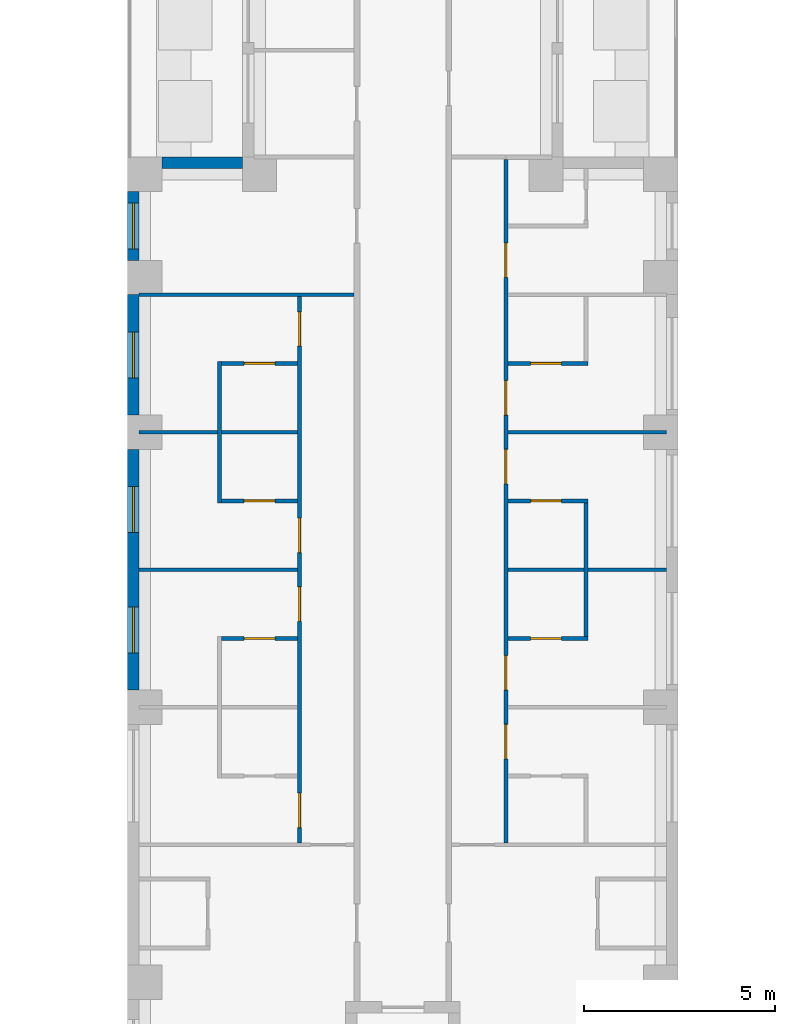
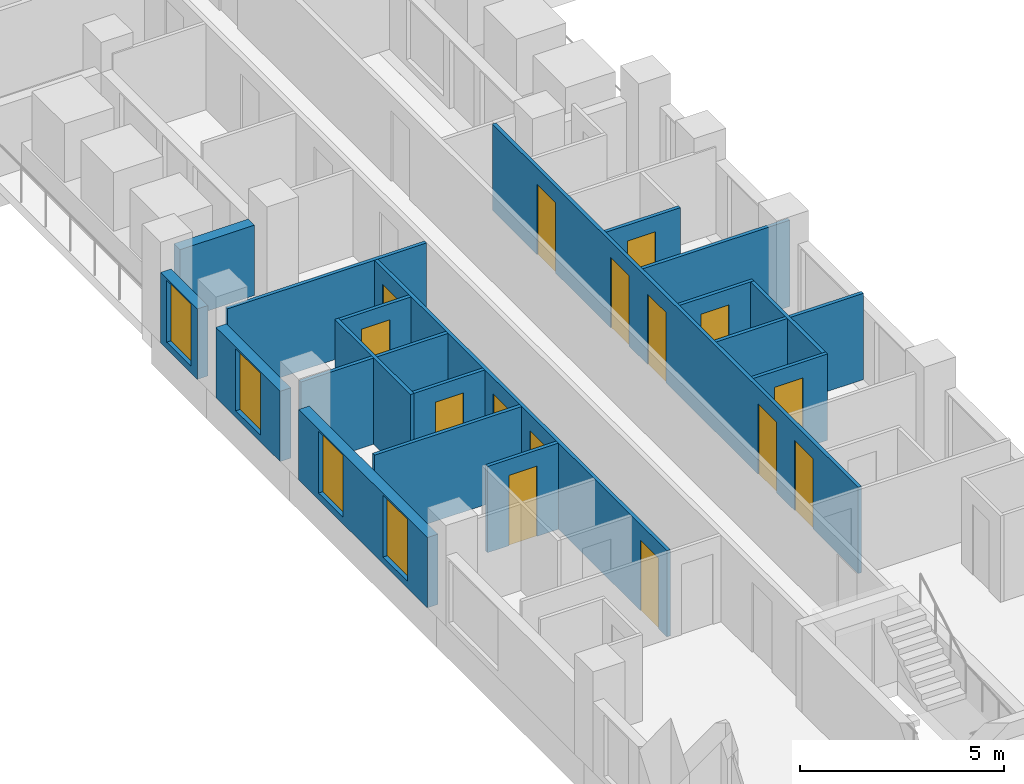
# One storey, part 4 of 16: 19 walls, 15 doors, 4 windows, 19 openings.
"""IFC4 building model written with IfcOpenShell, lengths in metres."""

from ifc_helpers import new_model, si_unit, direction, frame, frame_2d, origin, place, context, subcontext, project, spatial, rectangle, extrude, material, layer, layer_set, type_object, element, fill, save


model = new_model("IFC4")

# Units and contexts
model_context = context("Model", 3, precision=1e-05, world=origin(), true_north=direction((0.0, 1.0)))
body_context = subcontext(model_context, "Body", "Model", "MODEL_VIEW")
ifc_project = project(units=[si_unit("LENGTHUNIT", "METRE"), si_unit("AREAUNIT", "SQUARE_METRE"), si_unit("VOLUMEUNIT", "CUBIC_METRE"), si_unit("PLANEANGLEUNIT", "RADIAN"), si_unit("MASSUNIT", "GRAM", prefix="KILO")], contexts=[model_context])

# Site, building, storey
site_placement = place(None, origin())
site = spatial("IfcSite", under=ifc_project, at=site_placement, CompositionType="ELEMENT")
building_placement = place(site_placement, origin())
building = spatial("IfcBuilding", under=site, at=building_placement, Name="Fustian Cross Tower", CompositionType="ELEMENT")
storey_placement = place(building_placement, frame((0.0, 0.0, 23.699951171875)))
storey = spatial("IfcBuildingStorey", under=building, at=storey_placement, Name="L06", CompositionType="ELEMENT", Elevation=23.699951171875)

# Walls
ifc_material_1 = material(Name="Plasterboard on steel stud", Category="steel")
ifc_layer_1 = layer(ifc_material_1, 0.10009765625)
ifc_layer_set_1 = layer_set([ifc_layer_1], Name="Plasterboard on steel stud")
wall_type_1 = type_object("IfcWallType", Name="PARTITION 100 STUD", PredefinedType="PARTITIONING", material=ifc_layer_set_1)
for number, where, z_axis, x_axis, name in (
    (1, (-6.89990234375, -25.199951171875, 0.0), (0.0, 0.0, 1.0), (1.0, 0.0, 0.0), "Partition 21"),
    (2, (-6.89990234375, -21.60009765625, 0.0), (0.0, 0.0, 1.0), (1.0, 0.0, 0.0), "Partition 22"),
):
    element("IfcWall", number, at=place(storey_placement, frame(where, z_axis=z_axis, x_axis=x_axis)), inside=storey, type_object=wall_type_1, Name=name, PredefinedType="PARTITIONING", context=body_context, shape_type="SweptSolid", body=[
        extrude(rectangle(XDim=4.14990234375, YDim=0.10009765625, at=frame_2d((2.074951171875, 0.0))), origin(), (0.0, 0.0, 1.0), 2.574951171875),
    ])
wall_1_placement = place(storey_placement, frame((-6.89990234375, -18.0, 0.0), z_axis=(0.0, 0.0, 1.0), x_axis=(1.0, 0.0, 0.0)))
element("IfcWall", 3, at=wall_1_placement, inside=storey, type_object=wall_type_1, Name="Partition 23", PredefinedType="PARTITIONING", context=body_context, shape_type="SweptSolid", body=[
    extrude(rectangle(XDim=5.625, YDim=0.10009765625, at=frame_2d((2.8125, 0.0))), origin(), (0.0, 0.0, 1.0), 2.574951171875),
])

# Wall, opening, door
wall_2_placement = place(storey_placement, frame((-4.75, -27.0, 0.0), z_axis=(0.0, 0.0, 1.0), x_axis=(1.0, 0.0, 0.0)))
wall_2 = element("IfcWall", 4, at=wall_2_placement, inside=storey, type_object=wall_type_1, Name="Partition 35", PredefinedType="PARTITIONING", context=body_context, shape_type="SweptSolid", body=[
    extrude(rectangle(XDim=2.0, YDim=0.10009765625, at=frame_2d((1.0, 0.0))), origin(), (0.0, 0.0, 1.0), 2.574951171875),
])
opening_1_placement = place(wall_2_placement, frame((0.60009765625, 0.0, 0.0)))
opening_1 = element("IfcOpeningElement", 5, at=opening_1_placement, cuts=wall_2, Name="Opening D05076", PredefinedType="OPENING", context=body_context, shape_type="SweptSolid", body=[
    extrude(rectangle(XDim=0.800048828125, YDim=2.10009765625, at=frame_2d((0.39990234375, 1.050048828125))), frame((0.0, 0.06005859375, 0.0), z_axis=(0.0, -1.0, 0.0), x_axis=(1.0, 0.0, 0.0)), (0.0, 0.0, 1.0), 0.1201171875),
])
ifc_material_2 = material(Name="Painted timber", Category="wood")
door_type_1 = type_object("IfcDoorType", Name="SWING DOOR 800", OperationType="SINGLE_SWING_LEFT", PredefinedType="DOOR", material=ifc_material_2)
door_1_placement = place(opening_1_placement, frame((0.800048828125, 0.0, 0.0), z_axis=(0.0, 0.0, 1.0), x_axis=(-1.0, 0.0, 0.0)))
door_1 = element("IfcDoor", 6, at=door_1_placement, inside=storey, type_object=door_type_1, Name="Door D05076", OperationType="SINGLE_SWING_RIGHT", OverallHeight=2.10009765625, OverallWidth=0.800048828125, PredefinedType="DOOR", context=body_context, shape_type="SweptSolid", body=[
    extrude(rectangle(XDim=0.800048828125, YDim=2.10009765625, at=frame_2d((0.39990234375, 1.050048828125))), frame((0.0, 0.02490234375, 0.0), z_axis=(0.0, -1.0, 0.0), x_axis=(1.0, 0.0, 0.0)), (0.0, 0.0, 1.0), 0.050048828125),
])
fill(opening_1, door_1)

# Wall
wall_3_placement = place(storey_placement, frame((-4.800048828125, -23.449951171875, 0.0), z_axis=(0.0, 0.0, 1.0), x_axis=(0.0, 1.0, 0.0)))
element("IfcWall", 7, at=wall_3_placement, inside=storey, type_object=wall_type_1, Name="Partition 36", PredefinedType="PARTITIONING", context=body_context, shape_type="SweptSolid", body=[
    extrude(rectangle(XDim=3.699951171875, YDim=0.10009765625, at=frame_2d((1.85009765625, 0.0))), origin(), (0.0, 0.0, 1.0), 2.574951171875),
])

# Wall, opening, door
wall_4_placement = place(storey_placement, frame((-4.75, -23.39990234375, 0.0), z_axis=(0.0, 0.0, 1.0), x_axis=(1.0, 0.0, 0.0)))
wall_4 = element("IfcWall", 8, at=wall_4_placement, inside=storey, type_object=wall_type_1, Name="Partition 37", PredefinedType="PARTITIONING", context=body_context, shape_type="SweptSolid", body=[
    extrude(rectangle(XDim=2.0, YDim=0.10009765625, at=frame_2d((1.0, 0.0))), origin(), (0.0, 0.0, 1.0), 2.574951171875),
])
opening_2_placement = place(wall_4_placement, frame((0.60009765625, 0.0, 0.0)))
opening_2 = element("IfcOpeningElement", 9, at=opening_2_placement, cuts=wall_4, Name="Opening D05075", PredefinedType="OPENING", context=body_context, shape_type="SweptSolid", body=[
    extrude(rectangle(XDim=0.800048828125, YDim=2.10009765625, at=frame_2d((0.39990234375, 1.050048828125))), frame((0.0, 0.06005859375, 0.0), z_axis=(0.0, -1.0, 0.0), x_axis=(1.0, 0.0, 0.0)), (0.0, 0.0, 1.0), 0.1201171875),
])
door_2_placement = place(opening_2_placement, origin())
door_2 = element("IfcDoor", 10, at=door_2_placement, inside=storey, type_object=door_type_1, Name="Door D05075", OperationType="SINGLE_SWING_LEFT", OverallHeight=2.10009765625, OverallWidth=0.800048828125, PredefinedType="DOOR", context=body_context, shape_type="SweptSolid", body=[
    extrude(rectangle(XDim=0.800048828125, YDim=2.10009765625, at=frame_2d((0.39990234375, 1.050048828125))), frame((0.0, 0.02490234375, 0.0), z_axis=(0.0, -1.0, 0.0), x_axis=(1.0, 0.0, 0.0)), (0.0, 0.0, 1.0), 0.050048828125),
])
fill(opening_2, door_2)

wall_5_placement = place(storey_placement, frame((-4.75, -19.800048828125, 0.0), z_axis=(0.0, 0.0, 1.0), x_axis=(1.0, 0.0, 0.0)))
wall_5 = element("IfcWall", 11, at=wall_5_placement, inside=storey, type_object=wall_type_1, Name="Partition 38", PredefinedType="PARTITIONING", context=body_context, shape_type="SweptSolid", body=[
    extrude(rectangle(XDim=2.0, YDim=0.10009765625, at=frame_2d((1.0, 0.0))), origin(), (0.0, 0.0, 1.0), 2.574951171875),
])
opening_3_placement = place(wall_5_placement, frame((0.60009765625, 0.0, 0.0)))
opening_3 = element("IfcOpeningElement", 12, at=opening_3_placement, cuts=wall_5, Name="Opening D05074", PredefinedType="OPENING", context=body_context, shape_type="SweptSolid", body=[
    extrude(rectangle(XDim=0.800048828125, YDim=2.10009765625, at=frame_2d((0.39990234375, 1.050048828125))), frame((0.0, 0.06005859375, 0.0), z_axis=(0.0, -1.0, 0.0), x_axis=(1.0, 0.0, 0.0)), (0.0, 0.0, 1.0), 0.1201171875),
])
door_3_placement = place(opening_3_placement, frame((0.800048828125, 0.0, 0.0), z_axis=(0.0, 0.0, 1.0), x_axis=(-1.0, 0.0, 0.0)))
door_3 = element("IfcDoor", 13, at=door_3_placement, inside=storey, type_object=door_type_1, Name="Door D05074", OperationType="SINGLE_SWING_RIGHT", OverallHeight=2.10009765625, OverallWidth=0.800048828125, PredefinedType="DOOR", context=body_context, shape_type="SweptSolid", body=[
    extrude(rectangle(XDim=0.800048828125, YDim=2.10009765625, at=frame_2d((0.39990234375, 1.050048828125))), frame((0.0, 0.02490234375, 0.0), z_axis=(0.0, -1.0, 0.0), x_axis=(1.0, 0.0, 0.0)), (0.0, 0.0, 1.0), 0.050048828125),
])
fill(opening_3, door_3)

# Wall, openings, doors
wall_6_placement = place(storey_placement, frame((-2.699951171875, -32.35009765625, 0.0), z_axis=(0.0, 0.0, 1.0), x_axis=(0.0, 1.0, 0.0)))
wall_6 = element("IfcWall", 14, at=wall_6_placement, inside=storey, type_object=wall_type_1, Name="Partition 49", PredefinedType="PARTITIONING", context=body_context, shape_type="SweptSolid", body=[
    extrude(rectangle(XDim=14.300048828125, YDim=0.10009765625, at=frame_2d((7.14990234375, 0.0))), origin(), (0.0, 0.0, 1.0), 2.574951171875),
])
opening_4_placement = place(wall_6_placement, frame((0.400146484375, 0.0, 0.0)))
opening_4 = element("IfcOpeningElement", 15, at=opening_4_placement, cuts=wall_6, Name="Opening D05069", PredefinedType="OPENING", context=body_context, shape_type="SweptSolid", body=[
    extrude(rectangle(XDim=0.89990234375, YDim=2.10009765625, at=frame_2d((0.449951171875, 1.050048828125))), frame((0.0, 0.06005859375, 0.0), z_axis=(0.0, -1.0, 0.0), x_axis=(1.0, 0.0, 0.0)), (0.0, 0.0, 1.0), 0.1201171875),
])
opening_5_placement = place(wall_6_placement, frame((5.800048828125, 0.0, 0.0)))
opening_5 = element("IfcOpeningElement", 16, at=opening_5_placement, cuts=wall_6, Name="Opening D05070", PredefinedType="OPENING", context=body_context, shape_type="SweptSolid", body=[
    extrude(rectangle(XDim=0.89990234375, YDim=2.10009765625, at=frame_2d((0.449951171875, 1.050048828125))), frame((0.0, 0.06005859375, 0.0), z_axis=(0.0, -1.0, 0.0), x_axis=(1.0, 0.0, 0.0)), (0.0, 0.0, 1.0), 0.1201171875),
])
opening_6_placement = place(wall_6_placement, frame((7.60009765625, 0.0, 0.0)))
opening_6 = element("IfcOpeningElement", 17, at=opening_6_placement, cuts=wall_6, Name="Opening D05071", PredefinedType="OPENING", context=body_context, shape_type="SweptSolid", body=[
    extrude(rectangle(XDim=0.89990234375, YDim=2.10009765625, at=frame_2d((0.449951171875, 1.050048828125))), frame((0.0, 0.06005859375, 0.0), z_axis=(0.0, -1.0, 0.0), x_axis=(1.0, 0.0, 0.0)), (0.0, 0.0, 1.0), 0.1201171875),
])
opening_7_placement = place(wall_6_placement, frame((13.0, 0.0, 0.0)))
opening_7 = element("IfcOpeningElement", 18, at=opening_7_placement, cuts=wall_6, Name="Opening D05072", PredefinedType="OPENING", context=body_context, shape_type="SweptSolid", body=[
    extrude(rectangle(XDim=0.89990234375, YDim=2.10009765625, at=frame_2d((0.449951171875, 1.050048828125))), frame((0.0, 0.06005859375, 0.0), z_axis=(0.0, -1.0, 0.0), x_axis=(1.0, 0.0, 0.0)), (0.0, 0.0, 1.0), 0.1201171875),
])
ifc_material_3 = material(Name="Painted timber", Category="wood")
door_type_2 = type_object("IfcDoorType", Name="SWING DOOR 900", OperationType="SINGLE_SWING_LEFT", PredefinedType="DOOR", material=ifc_material_3)
door_4_placement = place(opening_4_placement, origin())
door_4 = element("IfcDoor", 19, at=door_4_placement, inside=storey, type_object=door_type_2, Name="Door D05069", OperationType="SINGLE_SWING_LEFT", OverallHeight=2.10009765625, OverallWidth=0.89990234375, PredefinedType="DOOR", context=body_context, shape_type="SweptSolid", body=[
    extrude(rectangle(XDim=0.89990234375, YDim=2.10009765625, at=frame_2d((0.449951171875, 1.050048828125))), frame((0.0, 0.02490234375, 0.0), z_axis=(0.0, -1.0, 0.0), x_axis=(1.0, 0.0, 0.0)), (0.0, 0.0, 1.0), 0.050048828125),
])
fill(opening_4, door_4)
door_5_placement = place(opening_5_placement, origin())
door_5 = element("IfcDoor", 20, at=door_5_placement, inside=storey, type_object=door_type_2, Name="Door D05070", OperationType="SINGLE_SWING_LEFT", OverallHeight=2.10009765625, OverallWidth=0.89990234375, PredefinedType="DOOR", context=body_context, shape_type="SweptSolid", body=[
    extrude(rectangle(XDim=0.89990234375, YDim=2.10009765625, at=frame_2d((0.449951171875, 1.050048828125))), frame((0.0, 0.02490234375, 0.0), z_axis=(0.0, -1.0, 0.0), x_axis=(1.0, 0.0, 0.0)), (0.0, 0.0, 1.0), 0.050048828125),
])
fill(opening_5, door_5)
door_6_placement = place(opening_6_placement, origin())
door_6 = element("IfcDoor", 21, at=door_6_placement, inside=storey, type_object=door_type_2, Name="Door D05071", OperationType="SINGLE_SWING_LEFT", OverallHeight=2.10009765625, OverallWidth=0.89990234375, PredefinedType="DOOR", context=body_context, shape_type="SweptSolid", body=[
    extrude(rectangle(XDim=0.89990234375, YDim=2.10009765625, at=frame_2d((0.449951171875, 1.050048828125))), frame((0.0, 0.02490234375, 0.0), z_axis=(0.0, -1.0, 0.0), x_axis=(1.0, 0.0, 0.0)), (0.0, 0.0, 1.0), 0.050048828125),
])
fill(opening_6, door_6)
door_7_placement = place(opening_7_placement, origin())
door_7 = element("IfcDoor", 22, at=door_7_placement, inside=storey, type_object=door_type_2, Name="Door D05072", OperationType="SINGLE_SWING_LEFT", OverallHeight=2.10009765625, OverallWidth=0.89990234375, PredefinedType="DOOR", context=body_context, shape_type="SweptSolid", body=[
    extrude(rectangle(XDim=0.89990234375, YDim=2.10009765625, at=frame_2d((0.449951171875, 1.050048828125))), frame((0.0, 0.02490234375, 0.0), z_axis=(0.0, -1.0, 0.0), x_axis=(1.0, 0.0, 0.0)), (0.0, 0.0, 1.0), 0.050048828125),
])
fill(opening_7, door_7)

wall_7_placement = place(storey_placement, frame((2.699951171875, -32.35009765625, 0.0), z_axis=(0.0, 0.0, 1.0), x_axis=(0.0, 1.0, 0.0)))
wall_7 = element("IfcWall", 23, at=wall_7_placement, inside=storey, type_object=wall_type_1, Name="Partition 64", PredefinedType="PARTITIONING", context=body_context, shape_type="SweptSolid", body=[
    extrude(rectangle(XDim=17.8876953125, YDim=0.10009765625, at=frame_2d((8.94384765625, 0.0))), origin(), (0.0, 0.0, 1.0), 2.574951171875),
])
opening_8_placement = place(wall_7_placement, frame((2.199951171875, 0.0, 0.0)))
opening_8 = element("IfcOpeningElement", 24, at=opening_8_placement, cuts=wall_7, Name="Opening D05054", PredefinedType="OPENING", context=body_context, shape_type="SweptSolid", body=[
    extrude(rectangle(XDim=0.89990234375, YDim=2.10009765625, at=frame_2d((0.449951171875, 1.050048828125))), frame((0.0, 0.06005859375, 0.0), z_axis=(0.0, -1.0, 0.0), x_axis=(1.0, 0.0, 0.0)), (0.0, 0.0, 1.0), 0.1201171875),
])
opening_9_placement = place(wall_7_placement, frame((4.0, 0.0, 0.0)))
opening_9 = element("IfcOpeningElement", 25, at=opening_9_placement, cuts=wall_7, Name="Opening D05055", PredefinedType="OPENING", context=body_context, shape_type="SweptSolid", body=[
    extrude(rectangle(XDim=0.89990234375, YDim=2.10009765625, at=frame_2d((0.449951171875, 1.050048828125))), frame((0.0, 0.06005859375, 0.0), z_axis=(0.0, -1.0, 0.0), x_axis=(1.0, 0.0, 0.0)), (0.0, 0.0, 1.0), 0.1201171875),
])
opening_10_placement = place(wall_7_placement, frame((9.39990234375, 0.0, 0.0)))
opening_10 = element("IfcOpeningElement", 26, at=opening_10_placement, cuts=wall_7, Name="Opening D05056", PredefinedType="OPENING", context=body_context, shape_type="SweptSolid", body=[
    extrude(rectangle(XDim=0.89990234375, YDim=2.10009765625, at=frame_2d((0.449951171875, 1.050048828125))), frame((0.0, 0.06005859375, 0.0), z_axis=(0.0, -1.0, 0.0), x_axis=(1.0, 0.0, 0.0)), (0.0, 0.0, 1.0), 0.1201171875),
])
opening_11_placement = place(wall_7_placement, frame((11.199951171875, 0.0, 0.0)))
opening_11 = element("IfcOpeningElement", 27, at=opening_11_placement, cuts=wall_7, Name="Opening D05057", PredefinedType="OPENING", context=body_context, shape_type="SweptSolid", body=[
    extrude(rectangle(XDim=0.89990234375, YDim=2.10009765625, at=frame_2d((0.449951171875, 1.050048828125))), frame((0.0, 0.06005859375, 0.0), z_axis=(0.0, -1.0, 0.0), x_axis=(1.0, 0.0, 0.0)), (0.0, 0.0, 1.0), 0.1201171875),
])
opening_12_placement = place(wall_7_placement, frame((14.800048828125, 0.0, 0.0)))
opening_12 = element("IfcOpeningElement", 28, at=opening_12_placement, cuts=wall_7, Name="Opening D05058", PredefinedType="OPENING", context=body_context, shape_type="SweptSolid", body=[
    extrude(rectangle(XDim=0.89990234375, YDim=2.10009765625, at=frame_2d((0.449951171875, 1.050048828125))), frame((0.0, 0.06005859375, 0.0), z_axis=(0.0, -1.0, 0.0), x_axis=(1.0, 0.0, 0.0)), (0.0, 0.0, 1.0), 0.1201171875),
])
door_8_placement = place(opening_8_placement, frame((0.89990234375, 0.0, 0.0), z_axis=(0.0, 0.0, 1.0), x_axis=(-1.0, 0.0, 0.0)))
door_8 = element("IfcDoor", 29, at=door_8_placement, inside=storey, type_object=door_type_2, Name="Door D05054", OperationType="SINGLE_SWING_RIGHT", OverallHeight=2.10009765625, OverallWidth=0.89990234375, PredefinedType="DOOR", context=body_context, shape_type="SweptSolid", body=[
    extrude(rectangle(XDim=0.89990234375, YDim=2.10009765625, at=frame_2d((0.449951171875, 1.050048828125))), frame((0.0, 0.02490234375, 0.0), z_axis=(0.0, -1.0, 0.0), x_axis=(1.0, 0.0, 0.0)), (0.0, 0.0, 1.0), 0.050048828125),
])
fill(opening_8, door_8)
door_9_placement = place(opening_9_placement, frame((0.89990234375, 0.0, 0.0), z_axis=(0.0, 0.0, 1.0), x_axis=(-1.0, 0.0, 0.0)))
door_9 = element("IfcDoor", 30, at=door_9_placement, inside=storey, type_object=door_type_2, Name="Door D05055", OperationType="SINGLE_SWING_RIGHT", OverallHeight=2.10009765625, OverallWidth=0.89990234375, PredefinedType="DOOR", context=body_context, shape_type="SweptSolid", body=[
    extrude(rectangle(XDim=0.89990234375, YDim=2.10009765625, at=frame_2d((0.449951171875, 1.050048828125))), frame((0.0, 0.02490234375, 0.0), z_axis=(0.0, -1.0, 0.0), x_axis=(1.0, 0.0, 0.0)), (0.0, 0.0, 1.0), 0.050048828125),
])
fill(opening_9, door_9)
door_10_placement = place(opening_10_placement, frame((0.89990234375, 0.0, 0.0), z_axis=(0.0, 0.0, 1.0), x_axis=(-1.0, 0.0, 0.0)))
door_10 = element("IfcDoor", 31, at=door_10_placement, inside=storey, type_object=door_type_2, Name="Door D05056", OperationType="SINGLE_SWING_RIGHT", OverallHeight=2.10009765625, OverallWidth=0.89990234375, PredefinedType="DOOR", context=body_context, shape_type="SweptSolid", body=[
    extrude(rectangle(XDim=0.89990234375, YDim=2.10009765625, at=frame_2d((0.449951171875, 1.050048828125))), frame((0.0, 0.02490234375, 0.0), z_axis=(0.0, -1.0, 0.0), x_axis=(1.0, 0.0, 0.0)), (0.0, 0.0, 1.0), 0.050048828125),
])
fill(opening_10, door_10)
door_11_placement = place(opening_11_placement, frame((0.89990234375, 0.0, 0.0), z_axis=(0.0, 0.0, 1.0), x_axis=(-1.0, 0.0, 0.0)))
door_11 = element("IfcDoor", 32, at=door_11_placement, inside=storey, type_object=door_type_2, Name="Door D05057", OperationType="SINGLE_SWING_RIGHT", OverallHeight=2.10009765625, OverallWidth=0.89990234375, PredefinedType="DOOR", context=body_context, shape_type="SweptSolid", body=[
    extrude(rectangle(XDim=0.89990234375, YDim=2.10009765625, at=frame_2d((0.449951171875, 1.050048828125))), frame((0.0, 0.02490234375, 0.0), z_axis=(0.0, -1.0, 0.0), x_axis=(1.0, 0.0, 0.0)), (0.0, 0.0, 1.0), 0.050048828125),
])
fill(opening_11, door_11)
door_12_placement = place(opening_12_placement, frame((0.89990234375, 0.0, 0.0), z_axis=(0.0, 0.0, 1.0), x_axis=(-1.0, 0.0, 0.0)))
door_12 = element("IfcDoor", 33, at=door_12_placement, inside=storey, type_object=door_type_2, Name="Door D05058", OperationType="SINGLE_SWING_RIGHT", OverallHeight=2.10009765625, OverallWidth=0.89990234375, PredefinedType="DOOR", context=body_context, shape_type="SweptSolid", body=[
    extrude(rectangle(XDim=0.89990234375, YDim=2.10009765625, at=frame_2d((0.449951171875, 1.050048828125))), frame((0.0, 0.02490234375, 0.0), z_axis=(0.0, -1.0, 0.0), x_axis=(1.0, 0.0, 0.0)), (0.0, 0.0, 1.0), 0.050048828125),
])
fill(opening_12, door_12)

# Wall, opening, door
wall_8_placement = place(storey_placement, frame((2.75, -27.0, 0.0), z_axis=(0.0, 0.0, 1.0), x_axis=(1.0, 0.0, 0.0)))
wall_8 = element("IfcWall", 34, at=wall_8_placement, inside=storey, type_object=wall_type_1, Name="Partition 67", PredefinedType="PARTITIONING", context=body_context, shape_type="SweptSolid", body=[
    extrude(rectangle(XDim=2.10009765625, YDim=0.10009765625, at=frame_2d((1.050048828125, 0.0))), origin(), (0.0, 0.0, 1.0), 2.574951171875),
])
opening_13_placement = place(wall_8_placement, frame((0.60009765625, 0.0, 0.0)))
opening_13 = element("IfcOpeningElement", 35, at=opening_13_placement, cuts=wall_8, Name="Opening D05062", PredefinedType="OPENING", context=body_context, shape_type="SweptSolid", body=[
    extrude(rectangle(XDim=0.800048828125, YDim=2.10009765625, at=frame_2d((0.39990234375, 1.050048828125))), frame((0.0, 0.06005859375, 0.0), z_axis=(0.0, -1.0, 0.0), x_axis=(1.0, 0.0, 0.0)), (0.0, 0.0, 1.0), 0.1201171875),
])
door_13_placement = place(opening_13_placement, origin())
door_13 = element("IfcDoor", 36, at=door_13_placement, inside=storey, type_object=door_type_1, Name="Door D05062", OperationType="SINGLE_SWING_LEFT", OverallHeight=2.10009765625, OverallWidth=0.800048828125, PredefinedType="DOOR", context=body_context, shape_type="SweptSolid", body=[
    extrude(rectangle(XDim=0.800048828125, YDim=2.10009765625, at=frame_2d((0.39990234375, 1.050048828125))), frame((0.0, 0.02490234375, 0.0), z_axis=(0.0, -1.0, 0.0), x_axis=(1.0, 0.0, 0.0)), (0.0, 0.0, 1.0), 0.050048828125),
])
fill(opening_13, door_13)

# Wall
wall_9_placement = place(storey_placement, frame((2.75, -25.199951171875, 0.0), z_axis=(0.0, 0.0, 1.0), x_axis=(1.0, 0.0, 0.0)))
element("IfcWall", 37, at=wall_9_placement, inside=storey, type_object=wall_type_1, Name="Partition 68", PredefinedType="PARTITIONING", context=body_context, shape_type="SweptSolid", body=[
    extrude(rectangle(XDim=4.14990234375, YDim=0.10009765625, at=frame_2d((2.074951171875, 0.0))), origin(), (0.0, 0.0, 1.0), 2.574951171875),
])

# Wall, opening, door
wall_10_placement = place(storey_placement, frame((2.75, -23.39990234375, 0.0), z_axis=(0.0, 0.0, 1.0), x_axis=(1.0, 0.0, 0.0)))
wall_10 = element("IfcWall", 38, at=wall_10_placement, inside=storey, type_object=wall_type_1, Name="Partition 69", PredefinedType="PARTITIONING", context=body_context, shape_type="SweptSolid", body=[
    extrude(rectangle(XDim=2.10009765625, YDim=0.10009765625, at=frame_2d((1.050048828125, 0.0))), origin(), (0.0, 0.0, 1.0), 2.574951171875),
])
opening_14_placement = place(wall_10_placement, frame((0.60009765625, 0.0, 0.0)))
opening_14 = element("IfcOpeningElement", 39, at=opening_14_placement, cuts=wall_10, Name="Opening D05061", PredefinedType="OPENING", context=body_context, shape_type="SweptSolid", body=[
    extrude(rectangle(XDim=0.800048828125, YDim=2.10009765625, at=frame_2d((0.39990234375, 1.050048828125))), frame((0.0, 0.06005859375, 0.0), z_axis=(0.0, -1.0, 0.0), x_axis=(1.0, 0.0, 0.0)), (0.0, 0.0, 1.0), 0.1201171875),
])
door_14_placement = place(opening_14_placement, frame((0.800048828125, 0.0, 0.0), z_axis=(0.0, 0.0, 1.0), x_axis=(-1.0, 0.0, 0.0)))
door_14 = element("IfcDoor", 40, at=door_14_placement, inside=storey, type_object=door_type_1, Name="Door D05061", OperationType="SINGLE_SWING_RIGHT", OverallHeight=2.10009765625, OverallWidth=0.800048828125, PredefinedType="DOOR", context=body_context, shape_type="SweptSolid", body=[
    extrude(rectangle(XDim=0.800048828125, YDim=2.10009765625, at=frame_2d((0.39990234375, 1.050048828125))), frame((0.0, 0.02490234375, 0.0), z_axis=(0.0, -1.0, 0.0), x_axis=(1.0, 0.0, 0.0)), (0.0, 0.0, 1.0), 0.050048828125),
])
fill(opening_14, door_14)

# Wall
wall_11_placement = place(storey_placement, frame((2.75, -21.60009765625, 0.0), z_axis=(0.0, 0.0, 1.0), x_axis=(1.0, 0.0, 0.0)))
element("IfcWall", 41, at=wall_11_placement, inside=storey, type_object=wall_type_1, Name="Partition 70", PredefinedType="PARTITIONING", context=body_context, shape_type="SweptSolid", body=[
    extrude(rectangle(XDim=4.14990234375, YDim=0.10009765625, at=frame_2d((2.074951171875, 0.0))), origin(), (0.0, 0.0, 1.0), 2.574951171875),
])

# Wall, opening, door
wall_12_placement = place(storey_placement, frame((2.75, -19.800048828125, 0.0), z_axis=(0.0, 0.0, 1.0), x_axis=(1.0, 0.0, 0.0)))
wall_12 = element("IfcWall", 42, at=wall_12_placement, inside=storey, type_object=wall_type_1, Name="Partition 71", PredefinedType="PARTITIONING", context=body_context, shape_type="SweptSolid", body=[
    extrude(rectangle(XDim=2.10009765625, YDim=0.10009765625, at=frame_2d((1.050048828125, 0.0))), origin(), (0.0, 0.0, 1.0), 2.574951171875),
])
opening_15_placement = place(wall_12_placement, frame((0.60009765625, 0.0, 0.0)))
opening_15 = element("IfcOpeningElement", 43, at=opening_15_placement, cuts=wall_12, Name="Opening D05060", PredefinedType="OPENING", context=body_context, shape_type="SweptSolid", body=[
    extrude(rectangle(XDim=0.800048828125, YDim=2.10009765625, at=frame_2d((0.39990234375, 1.050048828125))), frame((0.0, 0.06005859375, 0.0), z_axis=(0.0, -1.0, 0.0), x_axis=(1.0, 0.0, 0.0)), (0.0, 0.0, 1.0), 0.1201171875),
])
door_15_placement = place(opening_15_placement, origin())
door_15 = element("IfcDoor", 44, at=door_15_placement, inside=storey, type_object=door_type_1, Name="Door D05060", OperationType="SINGLE_SWING_LEFT", OverallHeight=2.10009765625, OverallWidth=0.800048828125, PredefinedType="DOOR", context=body_context, shape_type="SweptSolid", body=[
    extrude(rectangle(XDim=0.800048828125, YDim=2.10009765625, at=frame_2d((0.39990234375, 1.050048828125))), frame((0.0, 0.02490234375, 0.0), z_axis=(0.0, -1.0, 0.0), x_axis=(1.0, 0.0, 0.0)), (0.0, 0.0, 1.0), 0.050048828125),
])
fill(opening_15, door_15)

# Walls
wall_13_placement = place(storey_placement, frame((4.800048828125, -26.949951171875, 0.0), z_axis=(0.0, 0.0, 1.0), x_axis=(0.0, 1.0, 0.0)))
element("IfcWall", 45, at=wall_13_placement, inside=storey, type_object=wall_type_1, Name="Partition 81", PredefinedType="PARTITIONING", context=body_context, shape_type="SweptSolid", body=[
    extrude(rectangle(XDim=3.5, YDim=0.10009765625, at=frame_2d((1.75, 0.0))), origin(), (0.0, 0.0, 1.0), 2.574951171875),
])
ifc_material_4 = material(Name="Dark aluminium cladding on insulated backing wall", Category="aluminium")
ifc_layer_2 = layer(ifc_material_4, 0.300048828125)
ifc_layer_set_2 = layer_set([ifc_layer_2], Name="Dark aluminium cladding on insulated backing wall")
wall_type_2 = type_object("IfcWallType", Name="XW1 EXTERNAL WALL 300", PredefinedType="SOLIDWALL", material=ifc_layer_set_2)
wall_14_placement = place(storey_placement, frame((-4.199951171875, -14.550048828125, 0.0), z_axis=(0.0, 0.0, 1.0), x_axis=(-1.0, 0.0, 0.0)))
element("IfcWall", 46, at=wall_14_placement, inside=storey, type_object=wall_type_2, Name="External wall", PredefinedType="SOLIDWALL", context=body_context, shape_type="SweptSolid", body=[
    extrude(rectangle(XDim=2.10009765625, YDim=0.300048828125, at=frame_2d((1.050048828125, 0.0))), origin(), (0.0, 0.0, 1.0), 2.10009765625),
])

# Wall, opening, window
wall_15_placement = place(storey_placement, frame((-7.050048828125, -15.300048828125, 0.0), z_axis=(0.0, 0.0, 1.0), x_axis=(0.0, -1.0, 0.0)))
wall_15 = element("IfcWall", 47, at=wall_15_placement, inside=storey, type_object=wall_type_2, Name="External wall", PredefinedType="SOLIDWALL", context=body_context, shape_type="SweptSolid", body=[
    extrude(rectangle(XDim=1.800048828125, YDim=0.300048828125, at=frame_2d((0.89990234375, 0.0))), origin(), (0.0, 0.0, 1.0), 2.10009765625),
])
opening_16_placement = place(wall_15_placement, frame((0.300048828125, 0.0, 0.199951171875)))
opening_16 = element("IfcOpeningElement", 48, at=opening_16_placement, cuts=wall_15, Name="Opening WN3", PredefinedType="OPENING", context=body_context, shape_type="SweptSolid", body=[
    extrude(rectangle(XDim=1.199951171875, YDim=1.85009765625, at=frame_2d((0.60009765625, 0.925048828125))), frame((0.0, 0.159912109375, 0.0), z_axis=(0.0, -1.0, 0.0), x_axis=(1.0, 0.0, 0.0)), (0.0, 0.0, 1.0), 0.320068359375),
])
ifc_material_5 = material(Name="Dark anodised aluminium and double glazing", Category="aluminium")
window_type = type_object("IfcWindowType", Name="WN3 WINDOW 1200X1850", PartitioningType="SINGLE_PANEL", PredefinedType="WINDOW", material=ifc_material_5)
window_1_placement = place(opening_16_placement, origin())
window_1 = element("IfcWindow", 49, at=window_1_placement, inside=storey, type_object=window_type, Name="Window", OverallHeight=1.85009765625, OverallWidth=1.199951171875, PartitioningType="SINGLE_PANEL", PredefinedType="WINDOW", context=body_context, shape_type="SweptSolid", body=[
    extrude(rectangle(XDim=1.199951171875, YDim=1.85009765625, at=frame_2d((0.60009765625, 0.925048828125))), frame((0.0, 0.030029296875, 0.0), z_axis=(0.0, -1.0, 0.0), x_axis=(1.0, 0.0, 0.0)), (0.0, 0.0, 1.0), 0.06005859375),
])
fill(opening_16, window_1)

wall_16_placement = place(storey_placement, frame((-7.050048828125, -18.0, 0.0), z_axis=(0.0, 0.0, 1.0), x_axis=(0.0, -1.0, 0.0)))
wall_16 = element("IfcWall", 50, at=wall_16_placement, inside=storey, type_object=wall_type_2, Name="External wall", PredefinedType="SOLIDWALL", context=body_context, shape_type="SweptSolid", body=[
    extrude(rectangle(XDim=3.14990234375, YDim=0.300048828125, at=frame_2d((1.574951171875, 0.0))), origin(), (0.0, 0.0, 1.0), 2.10009765625),
])
opening_17_placement = place(wall_16_placement, frame((0.97509765625, 0.0, 0.199951171875)))
opening_17 = element("IfcOpeningElement", 51, at=opening_17_placement, cuts=wall_16, Name="Opening WN3", PredefinedType="OPENING", context=body_context, shape_type="SweptSolid", body=[
    extrude(rectangle(XDim=1.199951171875, YDim=1.85009765625, at=frame_2d((0.60009765625, 0.925048828125))), frame((0.0, 0.159912109375, 0.0), z_axis=(0.0, -1.0, 0.0), x_axis=(1.0, 0.0, 0.0)), (0.0, 0.0, 1.0), 0.320068359375),
])
window_2_placement = place(opening_17_placement, origin())
window_2 = element("IfcWindow", 52, at=window_2_placement, inside=storey, type_object=window_type, Name="Window", OverallHeight=1.85009765625, OverallWidth=1.199951171875, PartitioningType="SINGLE_PANEL", PredefinedType="WINDOW", context=body_context, shape_type="SweptSolid", body=[
    extrude(rectangle(XDim=1.199951171875, YDim=1.85009765625, at=frame_2d((0.60009765625, 0.925048828125))), frame((0.0, 0.030029296875, 0.0), z_axis=(0.0, -1.0, 0.0), x_axis=(1.0, 0.0, 0.0)), (0.0, 0.0, 1.0), 0.06005859375),
])
fill(opening_17, window_2)

# Wall, openings, windows
wall_17_placement = place(storey_placement, frame((-7.050048828125, -22.050048828125, 0.0), z_axis=(0.0, 0.0, 1.0), x_axis=(0.0, -1.0, 0.0)))
wall_17 = element("IfcWall", 53, at=wall_17_placement, inside=storey, type_object=wall_type_2, Name="External wall", PredefinedType="SOLIDWALL", context=body_context, shape_type="SweptSolid", body=[
    extrude(rectangle(XDim=6.300048828125, YDim=0.300048828125, at=frame_2d((3.14990234375, 0.0))), origin(), (0.0, 0.0, 1.0), 2.10009765625),
])
opening_18_placement = place(wall_17_placement, frame((0.97509765625, 0.0, 0.199951171875)))
opening_18 = element("IfcOpeningElement", 54, at=opening_18_placement, cuts=wall_17, Name="Opening WN3", PredefinedType="OPENING", context=body_context, shape_type="SweptSolid", body=[
    extrude(rectangle(XDim=1.199951171875, YDim=1.85009765625, at=frame_2d((0.60009765625, 0.925048828125))), frame((0.0, 0.159912109375, 0.0), z_axis=(0.0, -1.0, 0.0), x_axis=(1.0, 0.0, 0.0)), (0.0, 0.0, 1.0), 0.320068359375),
])
opening_19_placement = place(wall_17_placement, frame((4.125, 0.0, 0.199951171875)))
opening_19 = element("IfcOpeningElement", 55, at=opening_19_placement, cuts=wall_17, Name="Opening WN3", PredefinedType="OPENING", context=body_context, shape_type="SweptSolid", body=[
    extrude(rectangle(XDim=1.199951171875, YDim=1.85009765625, at=frame_2d((0.60009765625, 0.925048828125))), frame((0.0, 0.159912109375, 0.0), z_axis=(0.0, -1.0, 0.0), x_axis=(1.0, 0.0, 0.0)), (0.0, 0.0, 1.0), 0.320068359375),
])
window_3_placement = place(opening_18_placement, origin())
window_3 = element("IfcWindow", 56, at=window_3_placement, inside=storey, type_object=window_type, Name="Window", OverallHeight=1.85009765625, OverallWidth=1.199951171875, PartitioningType="SINGLE_PANEL", PredefinedType="WINDOW", context=body_context, shape_type="SweptSolid", body=[
    extrude(rectangle(XDim=1.199951171875, YDim=1.85009765625, at=frame_2d((0.60009765625, 0.925048828125))), frame((0.0, 0.030029296875, 0.0), z_axis=(0.0, -1.0, 0.0), x_axis=(1.0, 0.0, 0.0)), (0.0, 0.0, 1.0), 0.06005859375),
])
fill(opening_18, window_3)
window_4_placement = place(opening_19_placement, origin())
window_4 = element("IfcWindow", 57, at=window_4_placement, inside=storey, type_object=window_type, Name="Window", OverallHeight=1.85009765625, OverallWidth=1.199951171875, PartitioningType="SINGLE_PANEL", PredefinedType="WINDOW", context=body_context, shape_type="SweptSolid", body=[
    extrude(rectangle(XDim=1.199951171875, YDim=1.85009765625, at=frame_2d((0.60009765625, 0.925048828125))), frame((0.0, 0.030029296875, 0.0), z_axis=(0.0, -1.0, 0.0), x_axis=(1.0, 0.0, 0.0)), (0.0, 0.0, 1.0), 0.06005859375),
])
fill(opening_19, window_4)

save(model, "model.ifc")
